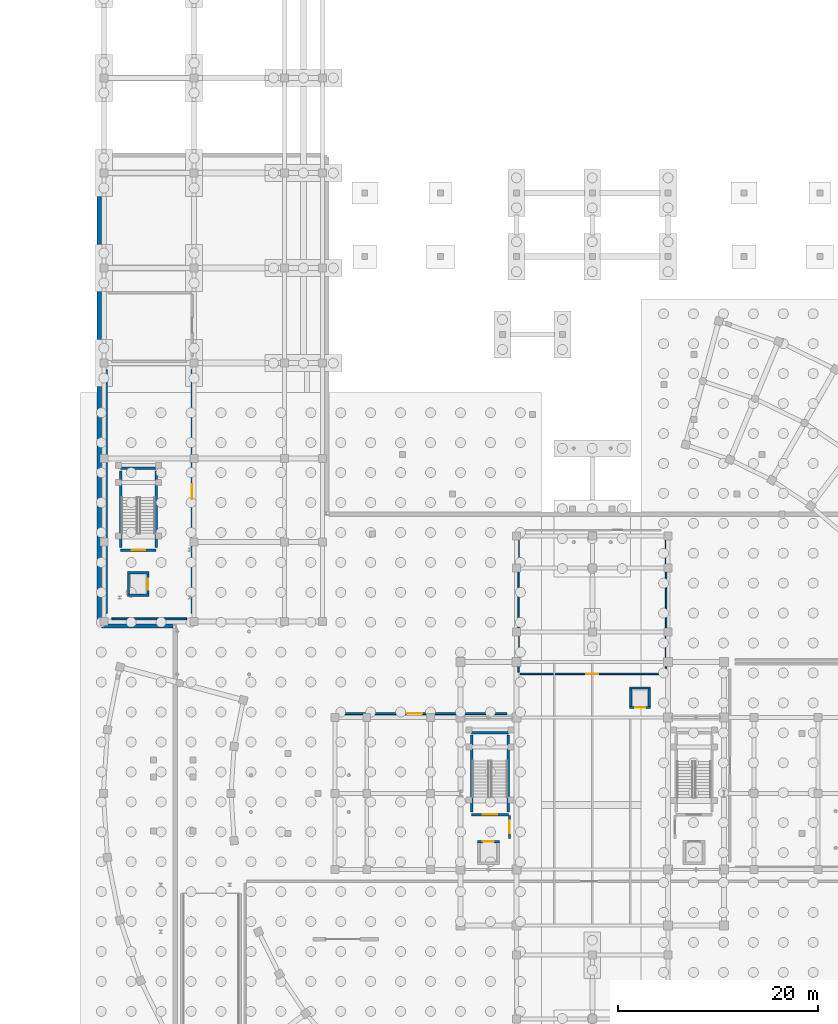
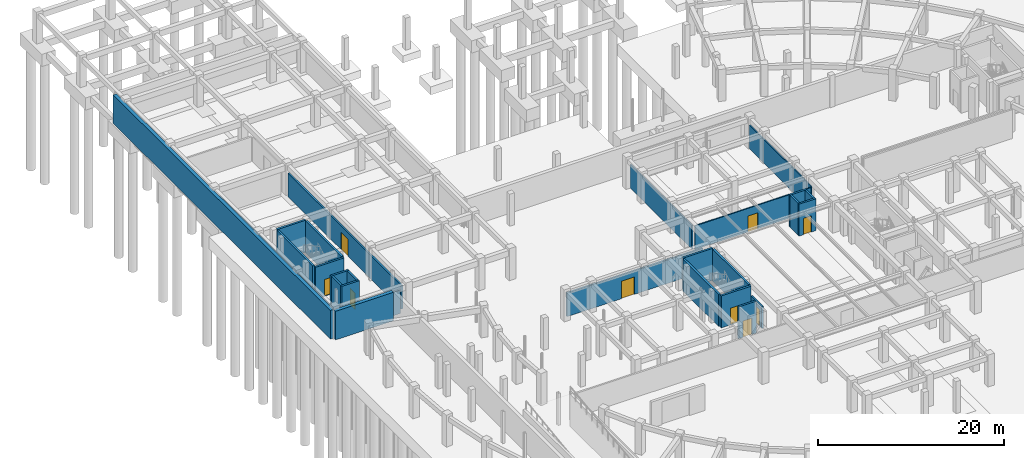
# One storey, part 25 of 33: 27 walls, 9 doors, 9 openings.
"""IFC4 building model written with IfcOpenShell, lengths in metres."""

from ifc_helpers import new_model, si_unit, direction, frame, frame_2d, origin, place, context, subcontext, project, spatial, rectangle, extrude, material, layer, layer_set, type_object, element, fill, save


model = new_model("IFC4")

# Units and contexts
model_context = context("Model", 3, precision=1e-05, world=origin(), true_north=direction((0.0, 1.0)))
body_context = subcontext(model_context, "Body", "Model", "MODEL_VIEW")
ifc_project = project(units=[si_unit("LENGTHUNIT", "METRE"), si_unit("AREAUNIT", "SQUARE_METRE"), si_unit("VOLUMEUNIT", "CUBIC_METRE"), si_unit("PLANEANGLEUNIT", "RADIAN"), si_unit("MASSUNIT", "GRAM", prefix="KILO")], contexts=[model_context])

# Site, building, storey
site_placement = place(None, origin())
site = spatial("IfcSite", under=ifc_project, at=site_placement, CompositionType="ELEMENT")
building_placement = place(site_placement, origin())
building = spatial("IfcBuilding", under=site, at=building_placement, Name="Saryqyr Civic Hall", CompositionType="ELEMENT")
storey_placement = place(building_placement, frame((0.0, 0.0, -4.199951171875)))
storey = spatial("IfcBuildingStorey", under=building, at=storey_placement, Name="B1", CompositionType="ELEMENT", Elevation=-4.199951171875)

# Walls
ifc_material_1 = material(Name="Concrete C35/45", Category="concrete")
ifc_layer_1 = layer(ifc_material_1, 0.419921875, Name="Concrete C35/45")
ifc_layer_set_1 = layer_set([ifc_layer_1], Name="Concrete C35/45")
wall_type_1 = type_object("IfcWallType", Name="ENV-WAL-RET-420", PredefinedType="USERDEFINED", material=ifc_layer_set_1)
wall_1_placement = place(storey_placement, frame((7.60009765625, 101.02001953125, 0.0), z_axis=(0.0, 0.0, 1.0), x_axis=(0.0, 1.0, 0.0)))
element("IfcWall", 1, at=wall_1_placement, inside=storey, type_object=wall_type_1, Name="Basement perimeter retaining wall 6", ObjectType="RETAINING", PredefinedType="USERDEFINED", context=body_context, shape_type="SweptSolid", body=[
    extrude(rectangle(XDim=46.760009765625, YDim=0.419921875, at=frame_2d((23.3798828125, 0.0))), origin(), (0.0, 0.0, 1.0), 3.75),
])
wall_2_placement = place(storey_placement, frame((7.820068359375, 100.800048828125, 0.0), z_axis=(0.0, 0.0, 1.0), x_axis=(1.0, 0.0, 0.0)))
element("IfcWall", 2, at=wall_2_placement, inside=storey, type_object=wall_type_1, Name="Basement perimeter retaining wall 7", ObjectType="RETAINING", PredefinedType="USERDEFINED", context=body_context, shape_type="SweptSolid", body=[
    extrude(rectangle(XDim=7.159912109375, YDim=0.419921875, at=frame_2d((3.580078125, 0.0))), origin(), (0.0, 0.0, 1.0), 3.75),
])

# Wall, opening, door
ifc_material_2 = material(Name="Autoclaved aerated concrete blockwork", Category="masonry")
ifc_layer_2 = layer(ifc_material_2, 0.199951171875, Name="Autoclaved aerated concrete blockwork")
ifc_layer_set_2 = layer_set([ifc_layer_2], Name="Autoclaved aerated concrete blockwork")
wall_type_2 = type_object("IfcWallType", Name="INT-WAL-FIR-200", PredefinedType="PARTITIONING", material=ifc_layer_set_2)
wall_3_placement = place(storey_placement, frame((48.699951171875, 81.800048828125, 0.0), z_axis=(0.0, 0.0, 1.0), x_axis=(0.0, -1.0, 0.0)))
wall_3 = element("IfcWall", 3, at=wall_3_placement, inside=storey, type_object=wall_type_2, Name="Firefighting lift lobby enclosure wall LF-01 B1", PredefinedType="PARTITIONING", context=body_context, shape_type="SweptSolid", body=[
    extrude(rectangle(XDim=2.300048828125, YDim=0.199951171875, at=frame_2d((1.14990234375, 0.0))), origin(), (0.0, 0.0, 1.0), 2.89990234375),
])
opening_1_placement = place(wall_3_placement, frame((0.5, 0.0, 0.0)))
opening_1 = element("IfcOpeningElement", 4, at=opening_1_placement, cuts=wall_3, Name="Opening FD-01", PredefinedType="OPENING", context=body_context, shape_type="SweptSolid", body=[
    extrude(rectangle(XDim=1.300048828125, YDim=2.199951171875, at=frame_2d((0.64990234375, 1.10009765625))), frame((0.0, 0.10986328125, 0.0), z_axis=(0.0, -1.0, 0.0), x_axis=(1.0, 0.0, 0.0)), (0.0, 0.0, 1.0), 0.219970703125),
])
ifc_material_3 = material(Name="Painted galvanized steel", Category="steel")
door_type_1 = type_object("IfcDoorType", Name="INT-DR-FFLOB-1300x2200", OperationType="NOTDEFINED", PredefinedType="DOOR", material=ifc_material_3)
door_1_placement = place(opening_1_placement, origin())
door_1 = element("IfcDoor", 5, at=door_1_placement, inside=storey, type_object=door_type_1, Name="Firefighting lift lobby smoke-control door LF-01 B1", OperationType="SINGLE_SWING_LEFT", OverallHeight=2.199951171875, OverallWidth=1.300048828125, PredefinedType="DOOR", context=body_context, shape_type="SweptSolid", body=[
    extrude(rectangle(XDim=1.300048828125, YDim=2.199951171875, at=frame_2d((0.64990234375, 1.10009765625))), frame((0.0, 0.02490234375, 0.0), z_axis=(0.0, -1.0, 0.0), x_axis=(1.0, 0.0, 0.0)), (0.0, 0.0, 1.0), 0.050048828125),
])
fill(opening_1, door_1)

wall_4_placement = place(storey_placement, frame((16.89990234375, 126.449951171875, 0.0), z_axis=(0.0, 0.0, 1.0), x_axis=(0.0, -1.0, 0.0)))
wall_4 = element("IfcWall", 6, at=wall_4_placement, inside=storey, type_object=wall_type_2, Name="Interior partition PRT-SP-B1-ARCH-VAULT1-W1", PredefinedType="PARTITIONING", context=body_context, shape_type="SweptSolid", body=[
    extrude(rectangle(XDim=24.39990234375, YDim=0.199951171875, at=frame_2d((12.199951171875, 0.0))), origin(), (0.0, 0.0, 1.0), 3.10498046875),
])
opening_2_placement = place(wall_4_placement, frame((11.449951171875, 0.0, 0.0)))
opening_2 = element("IfcOpeningElement", 7, at=opening_2_placement, cuts=wall_4, Name="Opening FD-03", PredefinedType="OPENING", context=body_context, shape_type="SweptSolid", body=[
    extrude(rectangle(XDim=1.5, YDim=2.25, at=frame_2d((0.75, 1.125))), frame((0.0, 0.10986328125, 0.0), z_axis=(0.0, -1.0, 0.0), x_axis=(1.0, 0.0, 0.0)), (0.0, 0.0, 1.0), 0.219970703125),
])
door_type_2 = type_object("IfcDoorType", Name="INT-DR-ARCHV-1500x2250", OperationType="NOTDEFINED", PredefinedType="DOOR", material=ifc_material_3)
door_2_placement = place(opening_2_placement, origin())
door_2 = element("IfcDoor", 8, at=door_2_placement, inside=storey, type_object=door_type_2, Name="Interior door Municipal Archive High-Density Rolling Stack Vault 1", OperationType="SINGLE_SWING_LEFT", OverallHeight=2.25, OverallWidth=1.5, PredefinedType="DOOR", context=body_context, shape_type="SweptSolid", body=[
    extrude(rectangle(XDim=1.5, YDim=2.25, at=frame_2d((0.75, 1.125))), frame((0.0, 0.02490234375, 0.0), z_axis=(0.0, -1.0, 0.0), x_axis=(1.0, 0.0, 0.0)), (0.0, 0.0, 1.0), 0.050048828125),
])
fill(opening_2, door_2)

# Walls
wall_5_placement = place(storey_placement, frame((8.300048828125, 102.050048828125, 0.0), z_axis=(0.0, 0.0, 1.0), x_axis=(0.0, 1.0, 0.0)))
element("IfcWall", 9, at=wall_5_placement, inside=storey, type_object=wall_type_2, Name="Interior partition PRT-SP-B1-ARCH-VAULT1-W2", PredefinedType="PARTITIONING", context=body_context, shape_type="SweptSolid", body=[
    extrude(rectangle(XDim=24.39990234375, YDim=0.199951171875, at=frame_2d((12.199951171875, 0.0))), origin(), (0.0, 0.0, 1.0), 3.10498046875),
])
wall_6_placement = place(storey_placement, frame((16.35009765625, 101.5, 0.0), z_axis=(0.0, 0.0, 1.0), x_axis=(-1.0, 0.0, 0.0)))
element("IfcWall", 10, at=wall_6_placement, inside=storey, type_object=wall_type_2, Name="Interior partition PRT-SP-B1-ARCH-VAULT1-W3", PredefinedType="PARTITIONING", context=body_context, shape_type="SweptSolid", body=[
    extrude(rectangle(XDim=7.5, YDim=0.199951171875, at=frame_2d((3.75, 0.0))), origin(), (0.0, 0.0, 1.0), 3.10498046875),
])

# Wall, opening, door
wall_7_placement = place(storey_placement, frame((48.449951171875, 92.0, 0.0), z_axis=(0.0, 0.0, 1.0), x_axis=(-1.0, 0.0, 0.0)))
wall_7 = element("IfcWall", 11, at=wall_7_placement, inside=storey, type_object=wall_type_2, Name="Interior partition PRT-SP-B1-PLANT-SPRK-W1", PredefinedType="PARTITIONING", context=body_context, shape_type="SweptSolid", body=[
    extrude(rectangle(XDim=16.89990234375, YDim=0.199951171875, at=frame_2d((8.449951171875, 0.0))), origin(), (0.0, 0.0, 1.0), 3.10498046875),
])
opening_3_placement = place(wall_7_placement, frame((8.5, 0.0, 0.0)))
opening_3 = element("IfcOpeningElement", 12, at=opening_3_placement, cuts=wall_7, Name="Opening FD-02", PredefinedType="OPENING", context=body_context, shape_type="SweptSolid", body=[
    extrude(rectangle(XDim=1.60009765625, YDim=2.300048828125, at=frame_2d((0.800048828125, 1.14990234375))), frame((0.0, 0.10986328125, 0.0), z_axis=(0.0, -1.0, 0.0), x_axis=(1.0, 0.0, 0.0)), (0.0, 0.0, 1.0), 0.219970703125),
])
door_type_3 = type_object("IfcDoorType", Name="INT-DR-PLANT-1600x2300", OperationType="NOTDEFINED", PredefinedType="DOOR", material=ifc_material_3)
door_3_placement = place(opening_3_placement, origin())
door_3 = element("IfcDoor", 13, at=door_3_placement, inside=storey, type_object=door_type_3, Name="Interior door Sprinkler Pump Room and Clean-Agent Suppression Store", OperationType="DOUBLE_DOOR_SINGLE_SWING", OverallHeight=2.300048828125, OverallWidth=1.60009765625, PredefinedType="DOOR", context=body_context, shape_type="SweptSolid", body=[
    extrude(rectangle(XDim=1.60009765625, YDim=2.300048828125, at=frame_2d((0.800048828125, 1.14990234375))), frame((0.0, 0.02490234375, 0.0), z_axis=(0.0, -1.0, 0.0), x_axis=(1.0, 0.0, 0.0)), (0.0, 0.0, 1.0), 0.050048828125),
])
fill(opening_3, door_3)

ifc_material_4 = material(Name="Metal-stud gypsum board partition", Category="gypsum")
ifc_layer_3 = layer(ifc_material_4, 0.139892578125, Name="Metal-stud gypsum board partition")
ifc_layer_set_3 = layer_set([ifc_layer_3], Name="Metal-stud gypsum board partition")
wall_type_3 = type_object("IfcWallType", Name="INT-WAL-PRT-140", PredefinedType="PARTITIONING", material=ifc_layer_set_3)
wall_8_placement = place(storey_placement, frame((64.219970703125, 96.0, 0.0), z_axis=(0.0, 0.0, 1.0), x_axis=(-1.0, 0.0, 0.0)))
wall_8 = element("IfcWall", 14, at=wall_8_placement, inside=storey, type_object=wall_type_3, Name="Interior partition PRT-SP-B1-WC-STAFF-W1", PredefinedType="PARTITIONING", context=body_context, shape_type="SweptSolid", body=[
    extrude(rectangle(XDim=14.43994140625, YDim=0.139892578125, at=frame_2d((7.219970703125, 0.0))), origin(), (0.0, 0.0, 1.0), 3.10498046875),
])
opening_4_placement = place(wall_8_placement, frame((6.6201171875, 0.0, 0.0)))
opening_4 = element("IfcOpeningElement", 15, at=opening_4_placement, cuts=wall_8, Name="Opening D-06", PredefinedType="OPENING", context=body_context, shape_type="SweptSolid", body=[
    extrude(rectangle(XDim=1.199951171875, YDim=2.10009765625, at=frame_2d((0.60009765625, 1.050048828125))), frame((0.0, 0.079833984375, 0.0), z_axis=(0.0, -1.0, 0.0), x_axis=(1.0, 0.0, 0.0)), (0.0, 0.0, 1.0), 0.159912109375),
])
ifc_material_5 = material(Name="Acoustic solid-core oak veneer", Category="wood")
door_type_4 = type_object("IfcDoorType", Name="INT-DR-D-06", OperationType="NOTDEFINED", PredefinedType="DOOR", material=ifc_material_5)
door_4_placement = place(opening_4_placement, origin())
door_4 = element("IfcDoor", 16, at=door_4_placement, inside=storey, type_object=door_type_4, Name="Interior door Staff Changing Rooms and Accessible MGN WC B1", OperationType="SINGLE_SWING_LEFT", OverallHeight=2.10009765625, OverallWidth=1.199951171875, PredefinedType="DOOR", context=body_context, shape_type="SweptSolid", body=[
    extrude(rectangle(XDim=1.199951171875, YDim=2.10009765625, at=frame_2d((0.60009765625, 1.050048828125))), frame((0.0, 0.02490234375, 0.0), z_axis=(0.0, -1.0, 0.0), x_axis=(1.0, 0.0, 0.0)), (0.0, 0.0, 1.0), 0.050048828125),
])
fill(opening_4, door_4)

# Walls
for number, where, z_axis, x_axis, name in (
    (17, (64.39990234375, 109.449951171875, 0.0), (0.0, 0.0, 1.0), (0.0, -1.0, 0.0), "Interior partition PRT-SP-B1-WC-STAFF-W2"),
    (18, (49.60009765625, 96.179931640625, 0.0), (0.0, 0.0, 1.0), (0.0, 1.0, 0.0), "Interior partition PRT-SP-B1-WC-STAFF-W3"),
):
    element("IfcWall", number, at=place(storey_placement, frame(where, z_axis=z_axis, x_axis=x_axis)), inside=storey, type_object=wall_type_3, Name=name, PredefinedType="PARTITIONING", context=body_context, shape_type="SweptSolid", body=[
        extrude(rectangle(XDim=13.27001953125, YDim=0.139892578125, at=frame_2d((6.635009765625, 0.0))), origin(), (0.0, 0.0, 1.0), 3.10498046875),
    ])

# Wall, opening, door
ifc_material_6 = material(Name="Concrete C40/50", Category="concrete")
ifc_layer_4 = layer(ifc_material_6, 0.239990234375, Name="Concrete C40/50")
ifc_layer_set_4 = layer_set([ifc_layer_4], Name="Concrete C40/50")
wall_type_4 = type_object("IfcWallType", Name="INT-WAL-SHR-240", PredefinedType="SHEAR", material=ifc_layer_set_4)
wall_9_placement = place(storey_placement, frame((45.5, 79.179931640625, 0.0), z_axis=(0.0, 0.0, 1.0), x_axis=(1.0, 0.0, 0.0)))
wall_9 = element("IfcWall", 19, at=wall_9_placement, inside=storey, type_object=wall_type_4, Name="Lift shaft shear wall LF-01-SHW-N-B1", PredefinedType="SHEAR", context=body_context, shape_type="SweptSolid", body=[
    extrude(rectangle(XDim=2.199951171875, YDim=0.239990234375, at=frame_2d((1.10009765625, 0.0))), origin(), (0.0, 0.0, 1.0), 4.199951171875),
])
opening_5_placement = place(wall_9_placement, frame((0.550048828125, 0.0, 0.0)))
opening_5 = element("IfcOpeningElement", 20, at=opening_5_placement, cuts=wall_9, Name="Opening LD-01", PredefinedType="OPENING", context=body_context, shape_type="SweptSolid", body=[
    extrude(rectangle(XDim=1.10009765625, YDim=2.14990234375, at=frame_2d((0.550048828125, 1.074951171875))), frame((0.0, 0.1298828125, 0.0), z_axis=(0.0, -1.0, 0.0), x_axis=(1.0, 0.0, 0.0)), (0.0, 0.0, 1.0), 0.260009765625),
])
ifc_material_7 = material(Name="Brushed stainless steel", Category="steel")
door_type_5 = type_object("IfcDoorType", Name="INT-DR-LD-1100x2150", OperationType="NOTDEFINED", PredefinedType="DOOR", material=ifc_material_7)
door_5_placement = place(opening_5_placement, origin())
door_5 = element("IfcDoor", 21, at=door_5_placement, inside=storey, type_object=door_type_5, Name="Lift sliding landing door LF-01 B1", OperationType="SLIDING_TO_LEFT", OverallHeight=2.14990234375, OverallWidth=1.10009765625, PredefinedType="DOOR", context=body_context, shape_type="SweptSolid", body=[
    extrude(rectangle(XDim=1.10009765625, YDim=2.14990234375, at=frame_2d((0.550048828125, 1.074951171875))), frame((0.0, 0.02490234375, 0.0), z_axis=(0.0, -1.0, 0.0), x_axis=(1.0, 0.0, 0.0)), (0.0, 0.0, 1.0), 0.050048828125),
])
fill(opening_5, door_5)

wall_10_placement = place(storey_placement, frame((62.85009765625, 92.6201171875, 0.0), z_axis=(0.0, 0.0, 1.0), x_axis=(-1.0, 0.0, 0.0)))
wall_10 = element("IfcWall", 22, at=wall_10_placement, inside=storey, type_object=wall_type_4, Name="Lift shaft shear wall LF-04-SHW-S-B1", PredefinedType="SHEAR", context=body_context, shape_type="SweptSolid", body=[
    extrude(rectangle(XDim=2.10009765625, YDim=0.239990234375, at=frame_2d((1.050048828125, 0.0))), origin(), (0.0, 0.0, 1.0), 4.199951171875),
])
opening_6_placement = place(wall_10_placement, frame((0.550048828125, 0.0, 0.0)))
opening_6 = element("IfcOpeningElement", 23, at=opening_6_placement, cuts=wall_10, Name="Opening LD-02", PredefinedType="OPENING", context=body_context, shape_type="SweptSolid", body=[
    extrude(rectangle(XDim=1.0, YDim=2.14990234375, at=frame_2d((0.5, 1.074951171875))), frame((0.0, 0.1298828125, 0.0), z_axis=(0.0, -1.0, 0.0), x_axis=(1.0, 0.0, 0.0)), (0.0, 0.0, 1.0), 0.260009765625),
])
door_type_6 = type_object("IfcDoorType", Name="INT-DR-LD-1000x2150", OperationType="NOTDEFINED", PredefinedType="DOOR", material=ifc_material_7)
door_6_placement = place(opening_6_placement, origin())
door_6 = element("IfcDoor", 24, at=door_6_placement, inside=storey, type_object=door_type_6, Name="Lift sliding landing door LF-04 B1", OperationType="SLIDING_TO_RIGHT", OverallHeight=2.14990234375, OverallWidth=1.0, PredefinedType="DOOR", context=body_context, shape_type="SweptSolid", body=[
    extrude(rectangle(XDim=1.0, YDim=2.14990234375, at=frame_2d((0.5, 1.074951171875))), frame((0.0, 0.02490234375, 0.0), z_axis=(0.0, -1.0, 0.0), x_axis=(1.0, 0.0, 0.0)), (0.0, 0.0, 1.0), 0.050048828125),
])
fill(opening_6, door_6)

# Walls
wall_11_placement = place(storey_placement, frame((62.72998046875, 94.4599609375, 0.0), z_axis=(0.0, 0.0, 1.0), x_axis=(0.0, -1.0, 0.0)))
element("IfcWall", 25, at=wall_11_placement, inside=storey, type_object=wall_type_4, Name="Lift shaft shear wall LF-04-SHW-E-B1", PredefinedType="SHEAR", context=body_context, shape_type="SweptSolid", body=[
    extrude(rectangle(XDim=1.719970703125, YDim=0.239990234375, at=frame_2d((0.85986328125, 0.0))), origin(), (0.0, 0.0, 1.0), 4.199951171875),
])
wall_12_placement = place(storey_placement, frame((60.75, 94.580078125, 0.0), z_axis=(0.0, 0.0, 1.0), x_axis=(1.0, 0.0, 0.0)))
element("IfcWall", 26, at=wall_12_placement, inside=storey, type_object=wall_type_4, Name="Lift shaft shear wall LF-04-SHW-N-B1", PredefinedType="SHEAR", context=body_context, shape_type="SweptSolid", body=[
    extrude(rectangle(XDim=2.10009765625, YDim=0.239990234375, at=frame_2d((1.050048828125, 0.0))), origin(), (0.0, 0.0, 1.0), 4.199951171875),
])
wall_13_placement = place(storey_placement, frame((60.8701171875, 92.739990234375, 0.0), z_axis=(0.0, 0.0, 1.0), x_axis=(0.0, 1.0, 0.0)))
element("IfcWall", 27, at=wall_13_placement, inside=storey, type_object=wall_type_4, Name="Lift shaft shear wall LF-04-SHW-W-B1", PredefinedType="SHEAR", context=body_context, shape_type="SweptSolid", body=[
    extrude(rectangle(XDim=1.719970703125, YDim=0.239990234375, at=frame_2d((0.85986328125, 0.0))), origin(), (0.0, 0.0, 1.0), 4.199951171875),
])
wall_14_placement = place(storey_placement, frame((12.60009765625, 103.8701171875, 0.0), z_axis=(0.0, 0.0, 1.0), x_axis=(-1.0, 0.0, 0.0)))
element("IfcWall", 28, at=wall_14_placement, inside=storey, type_object=wall_type_4, Name="Lift shaft shear wall LF-05-SHW-S-B1", PredefinedType="SHEAR", context=body_context, shape_type="SweptSolid", body=[
    extrude(rectangle(XDim=2.2001953125, YDim=0.239990234375, at=frame_2d((1.10009765625, 0.0))), origin(), (0.0, 0.0, 1.0), 4.199951171875),
])

# Wall, opening, door
wall_15_placement = place(storey_placement, frame((12.47998046875, 106.010009765625, 0.0), z_axis=(0.0, 0.0, 1.0), x_axis=(0.0, -1.0, 0.0)))
wall_15 = element("IfcWall", 29, at=wall_15_placement, inside=storey, type_object=wall_type_4, Name="Lift shaft shear wall LF-05-SHW-E-B1", PredefinedType="SHEAR", context=body_context, shape_type="SweptSolid", body=[
    extrude(rectangle(XDim=2.02001953125, YDim=0.239990234375, at=frame_2d((1.010009765625, 0.0))), origin(), (0.0, 0.0, 1.0), 4.199951171875),
])
opening_7_placement = place(wall_15_placement, frame((0.4599609375, 0.0, 0.0)))
opening_7 = element("IfcOpeningElement", 30, at=opening_7_placement, cuts=wall_15, Name="Opening LD-01", PredefinedType="OPENING", context=body_context, shape_type="SweptSolid", body=[
    extrude(rectangle(XDim=1.10009765625, YDim=2.14990234375, at=frame_2d((0.550048828125, 1.074951171875))), frame((0.0, 0.1298828125, 0.0), z_axis=(0.0, -1.0, 0.0), x_axis=(1.0, 0.0, 0.0)), (0.0, 0.0, 1.0), 0.260009765625),
])
door_7_placement = place(opening_7_placement, origin())
door_7 = element("IfcDoor", 31, at=door_7_placement, inside=storey, type_object=door_type_5, Name="Lift sliding landing door LF-05 B1", OperationType="SLIDING_TO_LEFT", OverallHeight=2.14990234375, OverallWidth=1.10009765625, PredefinedType="DOOR", context=body_context, shape_type="SweptSolid", body=[
    extrude(rectangle(XDim=1.10009765625, YDim=2.14990234375, at=frame_2d((0.550048828125, 1.074951171875))), frame((0.0, 0.02490234375, 0.0), z_axis=(0.0, -1.0, 0.0), x_axis=(1.0, 0.0, 0.0)), (0.0, 0.0, 1.0), 0.050048828125),
])
fill(opening_7, door_7)

# Walls
wall_16_placement = place(storey_placement, frame((10.39990234375, 106.1298828125, 0.0), z_axis=(0.0, 0.0, 1.0), x_axis=(1.0, 0.0, 0.0)))
element("IfcWall", 32, at=wall_16_placement, inside=storey, type_object=wall_type_4, Name="Lift shaft shear wall LF-05-SHW-N-B1", PredefinedType="SHEAR", context=body_context, shape_type="SweptSolid", body=[
    extrude(rectangle(XDim=2.2001953125, YDim=0.239990234375, at=frame_2d((1.10009765625, 0.0))), origin(), (0.0, 0.0, 1.0), 4.199951171875),
])
wall_17_placement = place(storey_placement, frame((10.52001953125, 103.989990234375, 0.0), z_axis=(0.0, 0.0, 1.0), x_axis=(0.0, 1.0, 0.0)))
element("IfcWall", 33, at=wall_17_placement, inside=storey, type_object=wall_type_4, Name="Lift shaft shear wall LF-05-SHW-W-B1", PredefinedType="SHEAR", context=body_context, shape_type="SweptSolid", body=[
    extrude(rectangle(XDim=2.02001953125, YDim=0.239990234375, at=frame_2d((1.010009765625, 0.0))), origin(), (0.0, 0.0, 1.0), 4.199951171875),
])

# Wall, opening, door
ifc_layer_5 = layer(ifc_material_6, 0.25, Name="Concrete C40/50")
ifc_layer_set_5 = layer_set([ifc_layer_5], Name="Concrete C40/50")
wall_type_5 = type_object("IfcWallType", Name="INT-WAL-SHR-250", PredefinedType="SHEAR", material=ifc_layer_set_5)
wall_18_placement = place(storey_placement, frame((48.60009765625, 81.89990234375, 0.0), z_axis=(0.0, 0.0, 1.0), x_axis=(-1.0, 0.0, 0.0)))
wall_18 = element("IfcWall", 34, at=wall_18_placement, inside=storey, type_object=wall_type_5, Name="Protected stair shaft wall ST-1-SW1-B1", PredefinedType="SHEAR", context=body_context, shape_type="SweptSolid", body=[
    extrude(rectangle(XDim=3.7001953125, YDim=0.25, at=frame_2d((1.85009765625, 0.0))), origin(), (0.0, 0.0, 1.0), 4.199951171875),
])
opening_8_placement = place(wall_18_placement, frame((1.125, 0.0, 0.0)))
opening_8 = element("IfcOpeningElement", 35, at=opening_8_placement, cuts=wall_18, Name="Opening SD-02", PredefinedType="OPENING", context=body_context, shape_type="SweptSolid", body=[
    extrude(rectangle(XDim=1.449951171875, YDim=2.199951171875, at=frame_2d((0.72509765625, 1.10009765625))), frame((0.0, 0.135009765625, 0.0), z_axis=(0.0, -1.0, 0.0), x_axis=(1.0, 0.0, 0.0)), (0.0, 0.0, 1.0), 0.27001953125),
])
door_type_7 = type_object("IfcDoorType", Name="INT-DR-STAIR-1450x2200", OperationType="NOTDEFINED", PredefinedType="DOOR", material=ifc_material_3)
door_8_placement = place(opening_8_placement, origin())
door_8 = element("IfcDoor", 36, at=door_8_placement, inside=storey, type_object=door_type_7, Name="Exit stair landing fire door ST-1-B1", OperationType="SINGLE_SWING_LEFT", OverallHeight=2.199951171875, OverallWidth=1.449951171875, PredefinedType="DOOR", context=body_context, shape_type="SweptSolid", body=[
    extrude(rectangle(XDim=1.449951171875, YDim=2.199951171875, at=frame_2d((0.72509765625, 1.10009765625))), frame((0.0, 0.02490234375, 0.0), z_axis=(0.0, -1.0, 0.0), x_axis=(1.0, 0.0, 0.0)), (0.0, 0.0, 1.0), 0.050048828125),
])
fill(opening_8, door_8)

# Walls
wall_19_placement = place(storey_placement, frame((44.89990234375, 82.14990234375, 0.0), z_axis=(0.0, 0.0, 1.0), x_axis=(0.0, 1.0, 0.0)))
element("IfcWall", 37, at=wall_19_placement, inside=storey, type_object=wall_type_5, Name="Protected stair shaft wall ST-1-SW2-B1", PredefinedType="SHEAR", context=body_context, shape_type="SweptSolid", body=[
    extrude(rectangle(XDim=7.7001953125, YDim=0.25, at=frame_2d((3.85009765625, 0.0))), origin(), (0.0, 0.0, 1.0), 4.199951171875),
])
wall_20_placement = place(storey_placement, frame((44.89990234375, 90.10009765625, 0.0), z_axis=(0.0, 0.0, 1.0), x_axis=(1.0, 0.0, 0.0)))
element("IfcWall", 38, at=wall_20_placement, inside=storey, type_object=wall_type_5, Name="Protected stair shaft wall ST-1-SW3-B1", PredefinedType="SHEAR", context=body_context, shape_type="SweptSolid", body=[
    extrude(rectangle(XDim=3.7001953125, YDim=0.25, at=frame_2d((1.85009765625, 0.0))), origin(), (0.0, 0.0, 1.0), 4.199951171875),
])
wall_21_placement = place(storey_placement, frame((48.60009765625, 89.85009765625, 0.0), z_axis=(0.0, 0.0, 1.0), x_axis=(0.0, -1.0, 0.0)))
element("IfcWall", 39, at=wall_21_placement, inside=storey, type_object=wall_type_5, Name="Protected stair shaft wall ST-1-SW4-B1", PredefinedType="SHEAR", context=body_context, shape_type="SweptSolid", body=[
    extrude(rectangle(XDim=7.7001953125, YDim=0.25, at=frame_2d((3.85009765625, 0.0))), origin(), (0.0, 0.0, 1.0), 4.199951171875),
])

# Wall, opening, door
wall_22_placement = place(storey_placement, frame((13.300048828125, 108.39990234375, 0.0), z_axis=(0.0, 0.0, 1.0), x_axis=(-1.0, 0.0, 0.0)))
wall_22 = element("IfcWall", 40, at=wall_22_placement, inside=storey, type_object=wall_type_5, Name="Protected stair shaft wall ST-3-SW1-B1", PredefinedType="SHEAR", context=body_context, shape_type="SweptSolid", body=[
    extrude(rectangle(XDim=3.56005859375, YDim=0.25, at=frame_2d((1.780029296875, 0.0))), origin(), (0.0, 0.0, 1.0), 4.199951171875),
])
opening_9_placement = place(wall_22_placement, frame((1.10498046875, 0.0, 0.0)))
opening_9 = element("IfcOpeningElement", 41, at=opening_9_placement, cuts=wall_22, Name="Opening SD-01", PredefinedType="OPENING", context=body_context, shape_type="SweptSolid", body=[
    extrude(rectangle(XDim=1.35009765625, YDim=2.199951171875, at=frame_2d((0.675048828125, 1.10009765625))), frame((0.0, 0.135009765625, 0.0), z_axis=(0.0, -1.0, 0.0), x_axis=(1.0, 0.0, 0.0)), (0.0, 0.0, 1.0), 0.27001953125),
])
door_type_8 = type_object("IfcDoorType", Name="INT-DR-STAIR-1350x2200", OperationType="NOTDEFINED", PredefinedType="DOOR", material=ifc_material_3)
door_9_placement = place(opening_9_placement, origin())
door_9 = element("IfcDoor", 42, at=door_9_placement, inside=storey, type_object=door_type_8, Name="Exit stair landing fire door ST-3-B1", OperationType="SINGLE_SWING_LEFT", OverallHeight=2.199951171875, OverallWidth=1.35009765625, PredefinedType="DOOR", context=body_context, shape_type="SweptSolid", body=[
    extrude(rectangle(XDim=1.35009765625, YDim=2.199951171875, at=frame_2d((0.675048828125, 1.10009765625))), frame((0.0, 0.02490234375, 0.0), z_axis=(0.0, -1.0, 0.0), x_axis=(1.0, 0.0, 0.0)), (0.0, 0.0, 1.0), 0.050048828125),
])
fill(opening_9, door_9)

# Walls
wall_23_placement = place(storey_placement, frame((9.739990234375, 108.64990234375, 0.0), z_axis=(0.0, 0.0, 1.0), x_axis=(0.0, 1.0, 0.0)))
element("IfcWall", 43, at=wall_23_placement, inside=storey, type_object=wall_type_5, Name="Protected stair shaft wall ST-3-SW2-B1", PredefinedType="SHEAR", context=body_context, shape_type="SweptSolid", body=[
    extrude(rectangle(XDim=7.7001953125, YDim=0.25, at=frame_2d((3.85009765625, 0.0))), origin(), (0.0, 0.0, 1.0), 4.199951171875),
])
wall_24_placement = place(storey_placement, frame((9.739990234375, 116.60009765625, 0.0), z_axis=(0.0, 0.0, 1.0), x_axis=(1.0, 0.0, 0.0)))
element("IfcWall", 44, at=wall_24_placement, inside=storey, type_object=wall_type_5, Name="Protected stair shaft wall ST-3-SW3-B1", PredefinedType="SHEAR", context=body_context, shape_type="SweptSolid", body=[
    extrude(rectangle(XDim=3.56005859375, YDim=0.25, at=frame_2d((1.780029296875, 0.0))), origin(), (0.0, 0.0, 1.0), 4.199951171875),
])
wall_25_placement = place(storey_placement, frame((13.300048828125, 116.35009765625, 0.0), z_axis=(0.0, 0.0, 1.0), x_axis=(0.0, -1.0, 0.0)))
element("IfcWall", 45, at=wall_25_placement, inside=storey, type_object=wall_type_5, Name="Protected stair shaft wall ST-3-SW4-B1", PredefinedType="SHEAR", context=body_context, shape_type="SweptSolid", body=[
    extrude(rectangle(XDim=7.7001953125, YDim=0.25, at=frame_2d((3.85009765625, 0.0))), origin(), (0.0, 0.0, 1.0), 4.199951171875),
])

save(model, "model.ifc")
